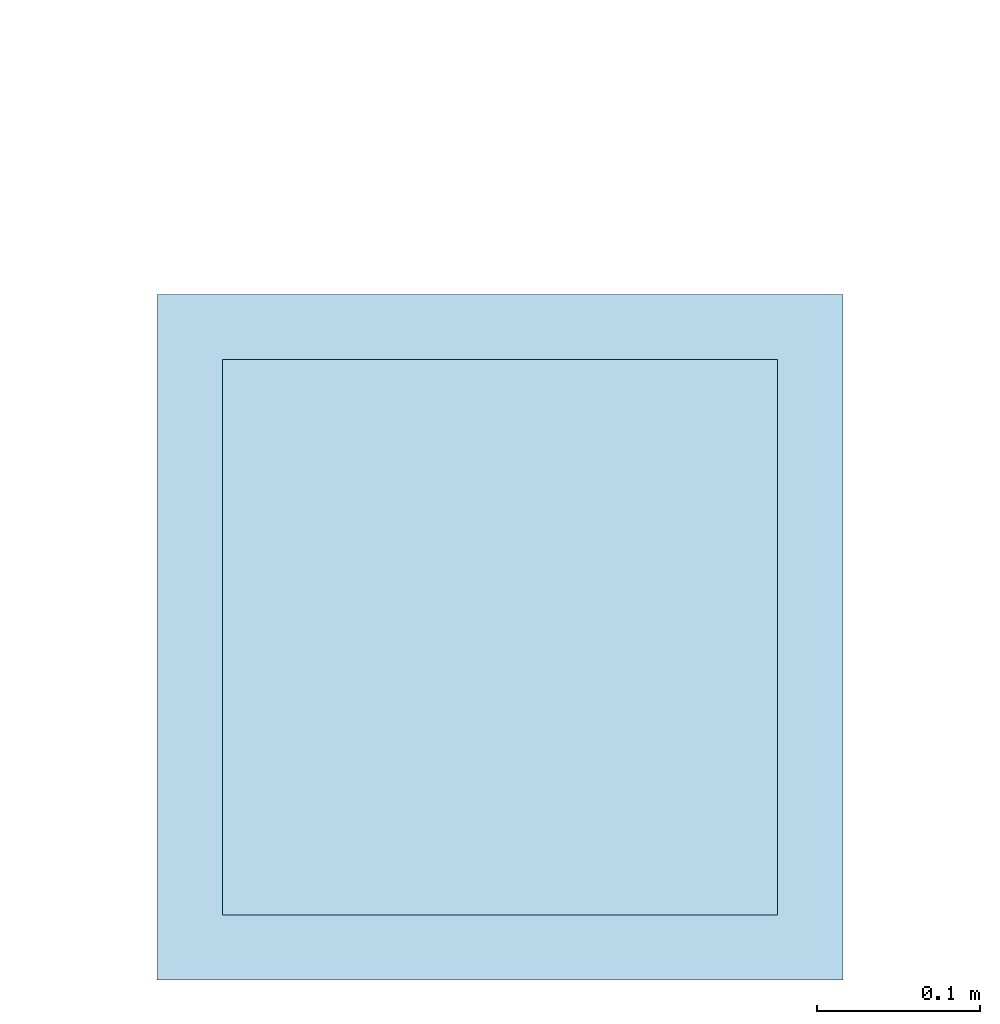
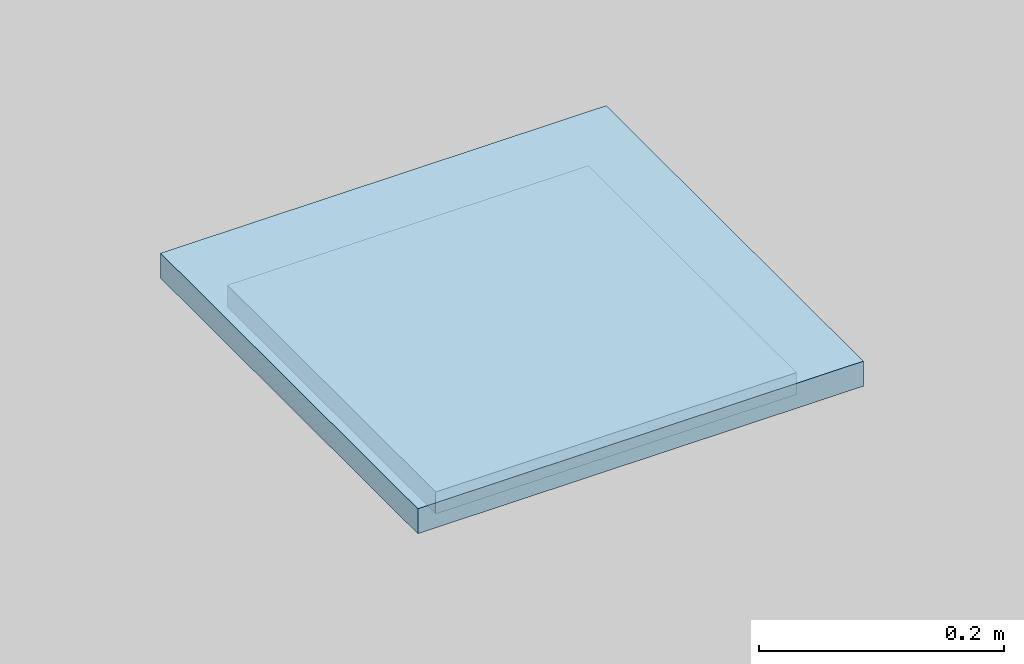
# One storey, part 106 of 132: 2 plates.
"""IFC4 building model written with IfcOpenShell, lengths in metres."""

from ifc_helpers import new_model, si_unit, direction, frame, origin, origin_2d, place, context, subcontext, project, spatial, rectangle, extrude, material, layer, layer_set, type_object, element, save


model = new_model("IFC4")

# Units and contexts
model_context = context("Model", 3, precision=1e-05, world=origin(), true_north=direction((0.0, 1.0)))
body_context = subcontext(model_context, "Body", "Model", "MODEL_VIEW")
ifc_project = project(units=[si_unit("LENGTHUNIT", "METRE"), si_unit("AREAUNIT", "SQUARE_METRE"), si_unit("VOLUMEUNIT", "CUBIC_METRE"), si_unit("PLANEANGLEUNIT", "RADIAN"), si_unit("MASSUNIT", "GRAM", prefix="KILO")], contexts=[model_context])

# Site, building, storey
site_placement = place(None, origin())
site = spatial("IfcSite", under=ifc_project, at=site_placement, CompositionType="ELEMENT")
building_placement = place(site_placement, origin())
building = spatial("IfcBuilding", under=site, at=building_placement, Name="Deido Ridge Mobility Hub", CompositionType="ELEMENT")
storey_placement = place(building_placement, frame((0.0, 0.0, 8.39990234375)))
storey = spatial("IfcBuildingStorey", under=building, at=storey_placement, Name="L02", CompositionType="ELEMENT", Elevation=8.39990234375)

# Plates
ifc_material = material(Name="Steel S355J2 EN 10025-2", Category="steel")
ifc_layer_1 = layer(ifc_material, 0.02197265625, Name="Steel S355J2 EN 10025-2")
ifc_layer_set_1 = layer_set([ifc_layer_1], Name="Steel S355J2 EN 10025-2")
plate_type_1 = type_object("IfcPlateType", Name="PLT-CAP-22", PredefinedType="USERDEFINED", material=ifc_layer_set_1)
plate_1_placement = place(storey_placement, frame((126.0, -1.85009765625, 4.0390625), z_axis=(0.0, 0.0, 1.0), x_axis=(1.0, 0.0, 0.0)))
element("IfcPlate", 1, at=plate_1_placement, inside=storey, type_object=plate_type_1, Name="Diagrid node cap plate EC2 146", ObjectType="END CAP PLATE", PredefinedType="USERDEFINED", context=body_context, shape_type="SweptSolid", body=[
    extrude(rectangle(XDim=0.340087890625, YDim=0.340087890625, at=origin_2d()), origin(), (0.0, 0.0, 1.0), 0.02197265625),
])
ifc_layer_2 = layer(ifc_material, 0.02490234375, Name="Steel S355J2 EN 10025-2")
ifc_layer_set_2 = layer_set([ifc_layer_2], Name="Steel S355J2 EN 10025-2")
plate_type_2 = type_object("IfcPlateType", Name="PLT-CAP-25", PredefinedType="USERDEFINED", material=ifc_layer_set_2)
plate_2_placement = place(storey_placement, frame((126.0, -1.85009765625, 4.0576171875), z_axis=(0.0, 0.0, 1.0), x_axis=(1.0, 0.0, 0.0)))
element("IfcPlate", 2, at=plate_2_placement, inside=storey, type_object=plate_type_2, Name="Exoskeleton node cap plate EC3 128", ObjectType="END CAP PLATE", PredefinedType="USERDEFINED", context=body_context, shape_type="SweptSolid", body=[
    extrude(rectangle(XDim=0.419921875, YDim=0.419921875, at=origin_2d()), origin(), (0.0, 0.0, 1.0), 0.02490234375),
])

save(model, "model.ifc")
